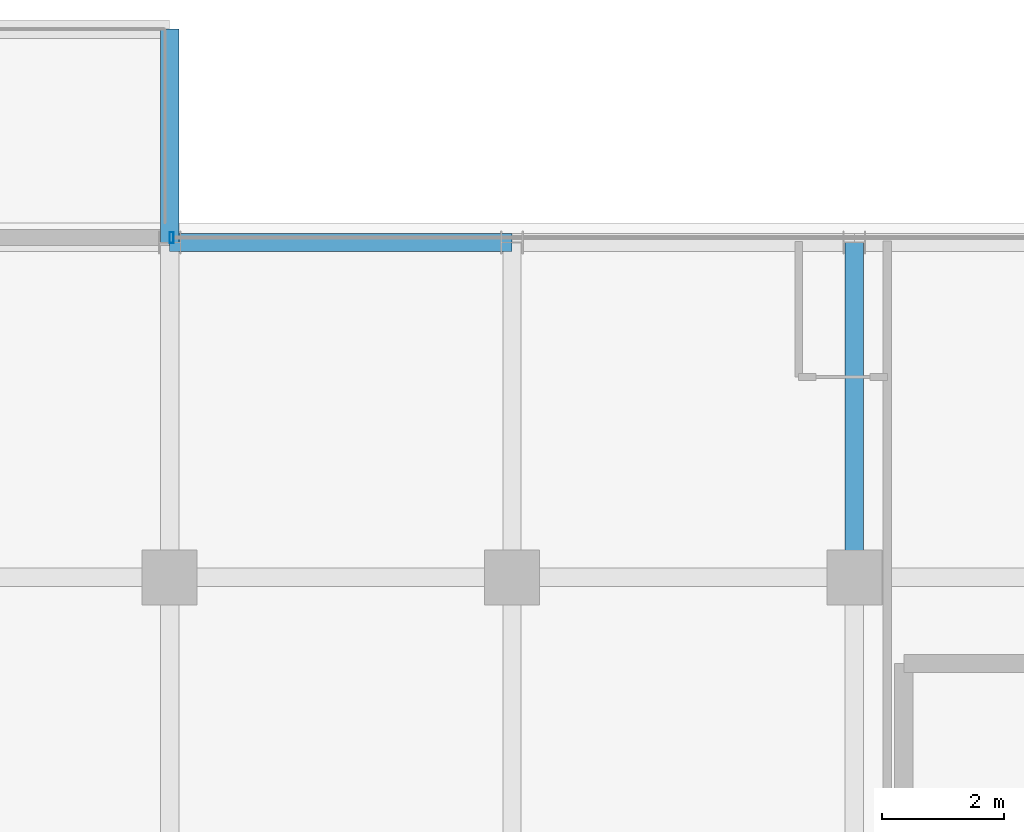
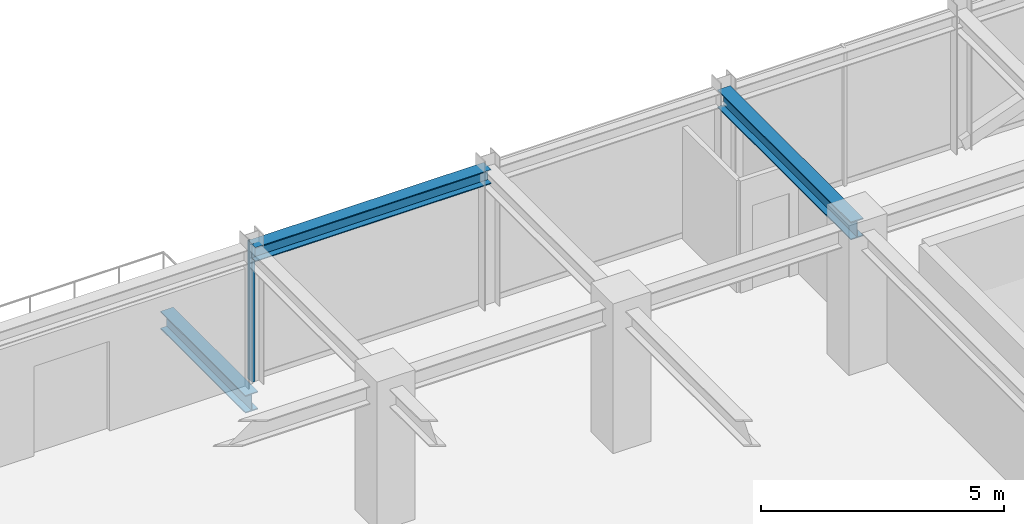
# One storey, part 21 of 34: 3 beams, 1 member, 1 element without a shape of its own.
"""IFC4 building model written with IfcOpenShell, lengths in metres."""

from ifc_helpers import new_model, si_unit, direction, frame, origin, origin_2d, place, context, subcontext, project, spatial, hollow_rectangle, i_section, extrude, source, transform, mapped, material, material_profile, profile_set, type_object, element, aggregate, save


model = new_model("IFC4")

# Units and contexts
model_context = context("Model", 3, precision=1e-05, world=origin(), true_north=direction((0.0, 1.0)))
body_context = subcontext(model_context, "Body", "Model", "MODEL_VIEW")
ifc_project = project(units=[si_unit("LENGTHUNIT", "METRE"), si_unit("AREAUNIT", "SQUARE_METRE"), si_unit("VOLUMEUNIT", "CUBIC_METRE"), si_unit("PLANEANGLEUNIT", "RADIAN"), si_unit("MASSUNIT", "GRAM", prefix="KILO")], contexts=[model_context])

# Site, building, storey
site_placement = place(None, origin())
site = spatial("IfcSite", under=ifc_project, at=site_placement, CompositionType="ELEMENT")
building_placement = place(site_placement, origin())
building = spatial("IfcBuilding", under=site, at=building_placement, Name="Nahalor Promenade Grand Hotel", CompositionType="ELEMENT")
storey_placement = place(building_placement, frame((0.0, 0.0, 334.75)))
storey = spatial("IfcBuildingStorey", under=building, at=storey_placement, Name="L86", CompositionType="ELEMENT", Elevation=334.75)

# Beams
ifc_material_1 = material(Name="Steel S355JR", Category="steel")
ifc_material_profile_1 = material_profile(ifc_material_1, i_section(OverallWidth=0.3, OverallDepth=0.45, WebThickness=0.014, FlangeThickness=0.026, at=origin_2d()), Name="HEB 450")
ifc_profile_set_1 = profile_set([ifc_material_profile_1], Name="Steel S355JR")
beam_type_1 = type_object("IfcBeamType", Name="Beam-Outrigger-HEB450", PredefinedType="BEAM", material=ifc_profile_set_1)
shared_shape_1 = source(origin(), body_context, "Body", "SweptSolid", [
    extrude(i_section(OverallWidth=0.3, OverallDepth=0.45, WebThickness=0.014, FlangeThickness=0.026, at=origin_2d()), origin(), (0.0, 0.0, 1.0), 3.489990234375),
])
beam_1_placement = place(storey_placement, frame((-8.39990234375, 22.47998046875, -0.5048828125), z_axis=(0.0, 1.0, 0.0), x_axis=(-1.0, 0.0, 0.0)))
element("IfcBeam", 1, at=beam_1_placement, inside=storey, type_object=beam_type_1, Name="BM-L86-BC-01-2", PredefinedType="BEAM", context=body_context, shape_type="MappedRepresentation", body=[
    mapped(shared_shape_1, transform((0.0, 0.0, 0.0), scale=1.0)),
])
ifc_material_profile_2 = material_profile(ifc_material_1, i_section(OverallWidth=0.3, OverallDepth=0.45, WebThickness=0.014, FlangeThickness=0.026, at=origin_2d()), Name="HEB 450")
ifc_profile_set_2 = profile_set([ifc_material_profile_2], Name="Steel S355JR")
beam_type_2 = type_object("IfcBeamType", Name="Beam-Girder-HEB450", PredefinedType="BEAM", material=ifc_profile_set_2)
shared_shape_2 = source(origin(), body_context, "Body", "SweptSolid", [
    extrude(i_section(OverallWidth=0.3, OverallDepth=0.45, WebThickness=0.014, FlangeThickness=0.026, at=origin_2d()), origin(), (0.0, 0.0, 1.0), 5.47998046875),
])
beam_2_placement = place(storey_placement, frame((2.800048828125, 17.0, 3.2451171875), z_axis=(0.0, 1.0, 0.0), x_axis=(-1.0, 0.0, 0.0)))
element("IfcBeam", 2, at=beam_2_placement, inside=storey, type_object=beam_type_2, Name="BM-L86-GY-3-4", PredefinedType="BEAM", context=body_context, shape_type="MappedRepresentation", body=[
    mapped(shared_shape_2, transform((0.0, 0.0, 0.0), scale=1.0)),
])
ifc_material_profile_3 = material_profile(ifc_material_1, i_section(OverallWidth=0.3, OverallDepth=0.36, WebThickness=0.0125, FlangeThickness=0.0225, at=origin_2d()), Name="HEB 360")
ifc_profile_set_3 = profile_set([ifc_material_profile_3], Name="Steel S355JR")
beam_type_3 = type_object("IfcBeamType", Name="Beam-Spandrel-HEB360", PredefinedType="SPANDREL", material=ifc_profile_set_3)
shared_shape_3 = source(origin(), body_context, "Body", "SweptSolid", [
    extrude(i_section(OverallWidth=0.3, OverallDepth=0.36, WebThickness=0.0125, FlangeThickness=0.0225, at=origin_2d()), origin(), (0.0, 0.0, 1.0), 5.599853515625),
])
beam_3_placement = place(storey_placement, frame((-8.39990234375, 22.47998046875, 3.2900390625), z_axis=(1.0, 0.0, 0.0), x_axis=(0.0, 1.0, 0.0)))
element("IfcBeam", 3, at=beam_3_placement, inside=storey, type_object=beam_type_3, Name="BM-L86-SP-N-1", PredefinedType="SPANDREL", context=body_context, shape_type="MappedRepresentation", body=[
    mapped(shared_shape_3, transform((0.0, 0.0, 0.0), scale=1.0)),
])

# Curtain wall, member
ifc_material_2 = material(Name="Anodised Bronze Aluminium EN AW-6063 T6", Category="aluminium")
curtain_wall_type = type_object("IfcCurtainWallType", Name="CW2 Typical Hotel Flush Bronze Unitised Curtain Wall", PredefinedType="USERDEFINED", material=ifc_material_2)
curtain_wall_placement = place(storey_placement, origin())
curtain_wall = element("IfcCurtainWall", 4, at=curtain_wall_placement, inside=storey, type_object=curtain_wall_type, Name="L86 Curtain Wall CW-L86-N-3", ObjectType="UNITISED_CURTAIN_WALL", PredefinedType="USERDEFINED")
ifc_material_profile_4 = material_profile(ifc_material_2, hollow_rectangle(XDim=0.065, YDim=0.18, WallThickness=0.004, at=origin_2d()), Name="CWM 65x180x4")
ifc_profile_set_4 = profile_set([ifc_material_profile_4], Name="Anodised Bronze Aluminium EN AW-6063 T6")
member_type = type_object("IfcMemberType", Name="CWM2 Typical Bronze Mullion 65x180", PredefinedType="MULLION", material=ifc_profile_set_4)
shared_shape_4 = source(origin(), body_context, "Body", "SweptSolid", [
    extrude(hollow_rectangle(XDim=0.065, YDim=0.18, WallThickness=0.004, at=origin_2d()), origin(), (0.0, 0.0, 1.0), 3.469970703125),
])
member_placement = place(storey_placement, frame((-8.367431640625, 22.56005859375, 0.0), z_axis=(0.0, 0.0, 1.0), x_axis=(1.0, 0.0, 0.0)))
member = element("IfcMember", 5, at=member_placement, type_object=member_type, Name="CW-L86-N-3 Mullion 0", PredefinedType="MULLION", context=body_context, shape_type="MappedRepresentation", body=[
    mapped(shared_shape_4, transform((0.0, 0.0, 0.0), scale=1.0)),
])
aggregate(curtain_wall, [member])

save(model, "model.ifc")
